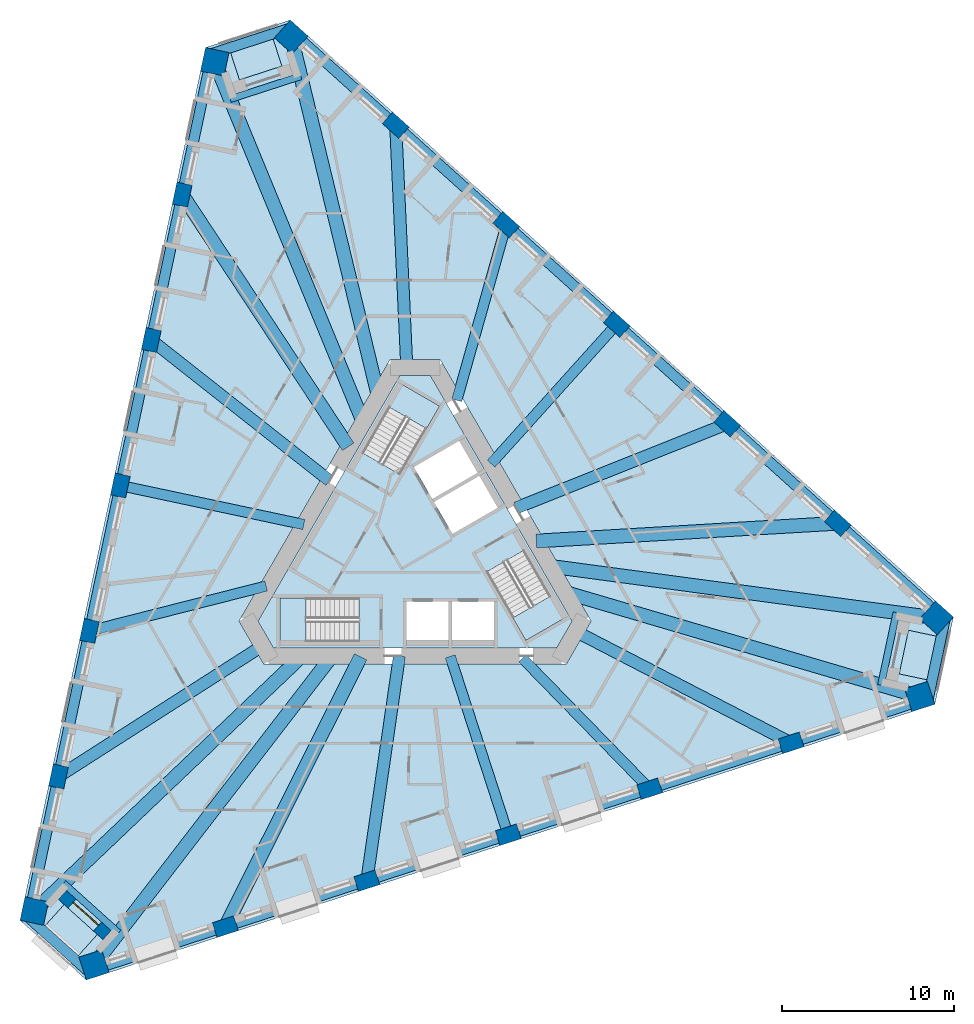
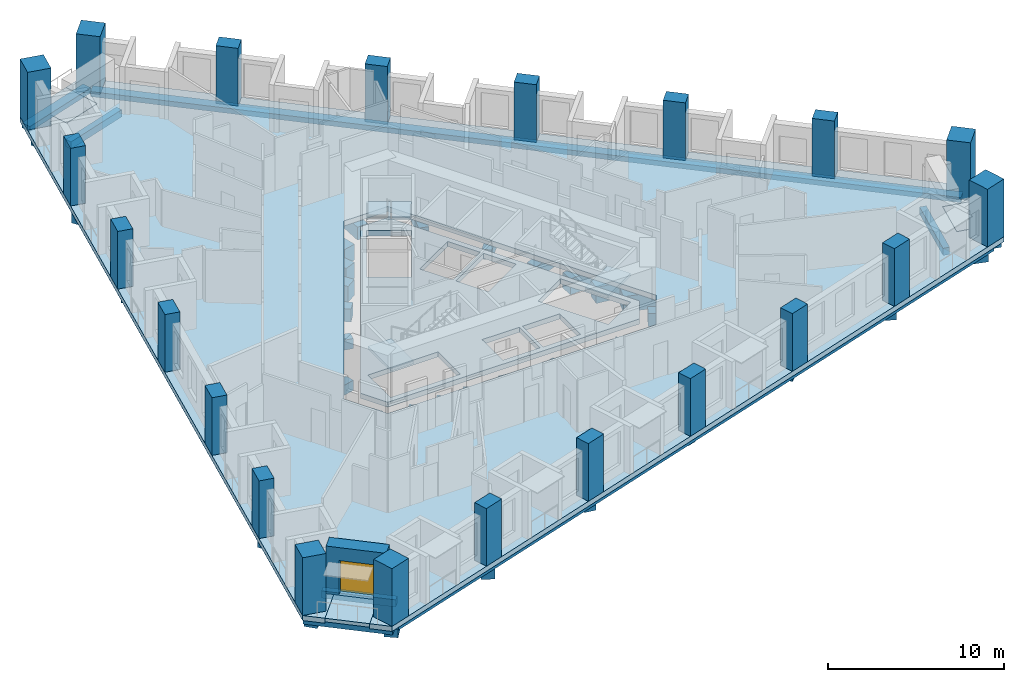
# One storey, part 1 of 13: 30 beams, 21 columns, 8 slabs, 1 door, 1 wall, 1 opening, 3 elements without a shape of their own.
"""IFC4 building model written with IfcOpenShell, lengths in metres."""

from ifc_helpers import new_model, si_unit, direction, frame, frame_2d, origin, origin_2d, place, context, subcontext, project, spatial, polyline, rectangle, outline, extrude, material, layer, layer_set, material_profile, profile_set, type_object, element, fill, aggregate, save


model = new_model("IFC4")

# Units and contexts
model_context = context("Model", 3, precision=1e-05, world=origin(), true_north=direction((0.0, 1.0)))
body_context = subcontext(model_context, "Body", "Model", "MODEL_VIEW")
ifc_project = project(units=[si_unit("LENGTHUNIT", "METRE"), si_unit("AREAUNIT", "SQUARE_METRE"), si_unit("VOLUMEUNIT", "CUBIC_METRE"), si_unit("PLANEANGLEUNIT", "RADIAN"), si_unit("MASSUNIT", "GRAM", prefix="KILO")], contexts=[model_context])

# Site, building, storey
site_placement = place(None, origin())
site = spatial("IfcSite", under=ifc_project, at=site_placement, CompositionType="ELEMENT")
building_placement = place(site_placement, origin())
building = spatial("IfcBuilding", under=site, at=building_placement, Name="Tramontana Tower", CompositionType="ELEMENT")
storey_placement = place(building_placement, frame((0.0, 0.0, 104.39990234375)))
storey = spatial("IfcBuildingStorey", under=building, at=storey_placement, Name="L23", CompositionType="ELEMENT", Elevation=104.39990234375)

# Columns
ifc_material_1 = material(Name="Concrete 70 MPa", Category="concrete")
ifc_material_profile_1 = material_profile(ifc_material_1, rectangle(XDim=1.39990234375, YDim=1.39990234375, at=origin_2d()), Name="Mega column 1400X1400 70 MPa")
ifc_profile_set_1 = profile_set([ifc_material_profile_1], Name="Concrete 70 MPa")
column_type_1 = type_object("IfcColumnType", Name="Mega column 1400X1400 70 MPa", PredefinedType="COLUMN", material=ifc_profile_set_1)
for number, where, z_axis, x_axis, name in (
    (1, (-11.665771484375, 28.3251953125, 0.0), (0.0, 0.0, 1.0), (-0.207911690818, -0.978147600734, 0.0), "Mega column C2K1 L23"),
    (2, (-22.17822265625, -21.13134765625, 0.0), (0.0, 0.0, 1.0), (-0.207911690818, -0.978147600734, 0.0), "Mega column C2K2 L23"),
    (3, (-18.697509765625, -24.265380859375, 0.0), (0.0, 0.0, 1.0), (0.951056516295, 0.309016994375, 0.0), "Mega column C2K3 L23"),
    (4, (29.389404296875, -8.64111328125, 0.0), (0.0, 0.0, 1.0), (0.951056516295, 0.309016994375, 0.0), "Mega column C2K4 L23"),
    (5, (30.36328125, -4.059814453125, 0.0), (0.0, 0.0, 1.0), (-0.743144825477, 0.669130606359, 0.0), "Mega column C2K5 L23"),
    (6, (-7.21142578125, 29.7724609375, 0.0), (0.0, 0.0, 1.0), (-0.743144825477, 0.669130606359, 0.0), "Mega column C2K6 L23"),
):
    element("IfcColumn", number, at=place(storey_placement, frame(where, z_axis=z_axis, x_axis=x_axis)), inside=storey, type_object=column_type_1, Name=name, PredefinedType="COLUMN", context=body_context, shape_type="SweptSolid", body=[
        extrude(rectangle(XDim=1.39990234375, YDim=1.39990234375, at=origin_2d()), origin(), (0.0, 0.0, 1.0), 4.0),
    ])
ifc_material_2 = material(Name="Concrete 55 MPa", Category="concrete")
ifc_material_profile_2 = material_profile(ifc_material_2, rectangle(XDim=1.300048828125, YDim=0.89990234375, at=origin_2d()), Name="Pier column 1300X900 55 MPa")
ifc_profile_set_2 = profile_set([ifc_material_profile_2], Name="Concrete 55 MPa")
column_type_2 = type_object("IfcColumnType", Name="Pier column 1300X900 55 MPa", PredefinedType="COLUMN", material=ifc_profile_set_2)
for number, where, z_axis, x_axis, name in (
    (7, (-13.5654296875, 20.5908203125, 0.0), (0.0, 0.0, 1.0), (-0.207911690818, -0.978147600734, 0.0), "Pier column C2F01 L23"),
    (8, (-15.365966796875, 12.119873046875, 0.0), (0.0, 0.0, 1.0), (-0.207911690818, -0.978147600734, 0.0), "Pier column C2F02 L23"),
    (9, (-17.16650390625, 3.64892578125, 0.0), (0.0, 0.0, 1.0), (-0.207911690818, -0.978147600734, 0.0), "Pier column C2F03 L23"),
    (10, (-18.967041015625, -4.822265625, 0.0), (0.0, 0.0, 1.0), (-0.207911690818, -0.978147600734, 0.0), "Pier column C2F04 L23"),
    (11, (-20.767578125, -13.293212890625, 0.0), (0.0, 0.0, 1.0), (-0.207911690818, -0.978147600734, 0.0), "Pier column C2F05 L23"),
    (12, (-11.049560546875, -22.04345703125, 0.0), (0.0, 0.0, 1.0), (0.951056516295, 0.309016994375, 0.0), "Pier column C2F06 L23"),
    (13, (-2.813232421875, -19.3671875, 0.0), (0.0, 0.0, 1.0), (0.951056516295, 0.309016994375, 0.0), "Pier column C2F07 L23"),
    (14, (5.42333984375, -16.691162109375, 0.0), (0.0, 0.0, 1.0), (0.951056516295, 0.309016994375, 0.0), "Pier column C2F08 L23"),
    (15, (13.65966796875, -14.014892578125, 0.0), (0.0, 0.0, 1.0), (0.951056516295, 0.309016994375, 0.0), "Pier column C2F09 L23"),
    (16, (21.89599609375, -11.338623046875, 0.0), (0.0, 0.0, 1.0), (0.951056516295, 0.309016994375, 0.0), "Pier column C2F10 L23"),
    (17, (24.614990234375, 1.452392578125, 0.0), (0.0, 0.0, 1.0), (-0.743144825477, 0.669130606359, 0.0), "Pier column C2F11 L23"),
    (18, (18.178955078125, 7.247314453125, 0.0), (0.0, 0.0, 1.0), (-0.743144825477, 0.669130606359, 0.0), "Pier column C2F12 L23"),
    (19, (11.7431640625, 13.042236328125, 0.0), (0.0, 0.0, 1.0), (-0.743144825477, 0.669130606359, 0.0), "Pier column C2F13 L23"),
    (20, (5.307373046875, 18.8369140625, 0.0), (0.0, 0.0, 1.0), (-0.743144825477, 0.669130606359, 0.0), "Pier column C2F14 L23"),
    (21, (-1.12841796875, 24.6318359375, 0.0), (0.0, 0.0, 1.0), (-0.743144825477, 0.669130606359, 0.0), "Pier column C2F15 L23"),
):
    element("IfcColumn", number, at=place(storey_placement, frame(where, z_axis=z_axis, x_axis=x_axis)), inside=storey, type_object=column_type_2, Name=name, PredefinedType="COLUMN", context=body_context, shape_type="SweptSolid", body=[
        extrude(rectangle(XDim=1.300048828125, YDim=0.89990234375, at=origin_2d()), origin(), (0.0, 0.0, 1.0), 4.0),
    ])

# Beams
ifc_material_3 = material(Name="Concrete 40 MPa", Category="concrete")
ifc_material_profile_3 = material_profile(ifc_material_3, rectangle(XDim=0.60009765625, YDim=0.35009765625, at=origin_2d()), Name="RC EDGE BEAM 600X350 40 MPa")
ifc_profile_set_3 = profile_set([ifc_material_profile_3], Name="Concrete 40 MPa")
beam_type_1 = type_object("IfcBeamType", Name="RC EDGE BEAM 600X350 40 MPa", PredefinedType="SPANDREL", material=ifc_profile_set_3)
beam_1_placement = place(storey_placement, frame((-11.910400390625, 28.377197265625, -0.52490234375), z_axis=(-0.207908708796, -0.978148234577, 0.0), x_axis=(0.978148234577, -0.207908708796, 0.0)))
element("IfcBeam", 22, at=beam_1_placement, inside=storey, type_object=beam_type_1, Name="Spandrel beam S0 L23", PredefinedType="SPANDREL", context=body_context, shape_type="SweptSolid", body=[
    extrude(rectangle(XDim=0.60009765625, YDim=0.35009765625, at=origin_2d()), origin(), (0.0, 0.0, 1.0), 50.561767578125),
])
beam_2_placement = place(storey_placement, frame((-18.6201171875, -24.503173828125, -0.52490234375), z_axis=(0.95105720178, 0.309014884661, 0.0), x_axis=(-0.309014884661, 0.95105720178, 0.0)))
element("IfcBeam", 23, at=beam_2_placement, inside=storey, type_object=beam_type_1, Name="Spandrel beam S1 L23", PredefinedType="SPANDREL", context=body_context, shape_type="SweptSolid", body=[
    extrude(rectangle(XDim=0.60009765625, YDim=0.35009765625, at=origin_2d()), origin(), (0.0, 0.0, 1.0), 50.5615234375),
])
beam_3_placement = place(storey_placement, frame((30.530517578125, -3.873779296875, -0.52490234375), z_axis=(-0.743146468863, 0.66912878119, 0.0), x_axis=(-0.66912878119, -0.743146468863, 0.0)))
element("IfcBeam", 24, at=beam_3_placement, inside=storey, type_object=beam_type_1, Name="Spandrel beam S2 L23", PredefinedType="SPANDREL", context=body_context, shape_type="SweptSolid", body=[
    extrude(rectangle(XDim=0.60009765625, YDim=0.35009765625, at=origin_2d()), origin(), (0.0, 0.0, 1.0), 50.561279296875),
])
beam_4_placement = place(storey_placement, frame((-7.1240234375, 30.333251953125, -0.52490234375), z_axis=(-0.951056854477, -0.309015953557, 0.0), x_axis=(0.309015953557, -0.951056854477, 0.0)))
element("IfcBeam", 25, at=beam_4_placement, inside=storey, type_object=beam_type_1, Name="Spandrel beam K0 L23", PredefinedType="SPANDREL", context=body_context, shape_type="SweptSolid", body=[
    extrude(rectangle(XDim=0.60009765625, YDim=0.35009765625, at=origin_2d()), origin(), (0.0, 0.0, 1.0), 5.1962890625),
])
beam_5_placement = place(storey_placement, frame((-22.707275390625, -21.336181640625, -0.52490234375), z_axis=(0.743160964229, -0.669112682025, 0.0), x_axis=(0.669112682025, 0.743160964229, 0.0)))
element("IfcBeam", 26, at=beam_5_placement, inside=storey, type_object=beam_type_1, Name="Spandrel beam K1 L23", PredefinedType="SPANDREL", context=body_context, shape_type="SweptSolid", body=[
    extrude(rectangle(XDim=0.60009765625, YDim=0.35009765625, at=origin_2d()), origin(), (0.0, 0.0, 1.0), 5.196044921875),
])
beam_6_placement = place(storey_placement, frame((29.831298828125, -8.9970703125, -0.52490234375), z_axis=(0.207902023431, 0.97814965555, 0.0), x_axis=(-0.97814965555, 0.207902023431, 0.0)))
element("IfcBeam", 27, at=beam_6_placement, inside=storey, type_object=beam_type_1, Name="Spandrel beam K2 L23", PredefinedType="SPANDREL", context=body_context, shape_type="SweptSolid", body=[
    extrude(rectangle(XDim=0.60009765625, YDim=0.35009765625, at=origin_2d()), origin(), (0.0, 0.0, 1.0), 5.1962890625),
])
ifc_material_4 = material(Name="Concrete 40 MPa", Category="concrete")
ifc_material_profile_4 = material_profile(ifc_material_4, rectangle(XDim=0.60009765625, YDim=0.699951171875, at=origin_2d()), Name="RC GIRDER 600X700 40 MPa")
ifc_profile_set_4 = profile_set([ifc_material_profile_4], Name="Concrete 40 MPa")
beam_type_2 = type_object("IfcBeamType", Name="RC GIRDER 600X700 40 MPa", PredefinedType="BEAM", material=ifc_profile_set_4)
beam_7_placement = place(storey_placement, frame((-17.16650390625, 3.64892578125, -0.699951171875), z_axis=(0.978147322784, -0.207912998466, 0.0), x_axis=(0.207912998466, 0.978147322784, 0.0)))
element("IfcBeam", 28, at=beam_7_placement, inside=storey, type_object=beam_type_2, Name="Radial girder C2F03 L23", PredefinedType="BEAM", context=body_context, shape_type="SweptSolid", body=[
    extrude(rectangle(XDim=0.60009765625, YDim=0.699951171875, at=origin_2d()), origin(), (0.0, 0.0, 1.0), 10.927490234375),
])
beam_8_placement = place(storey_placement, frame((-18.967041015625, -4.822265625, -0.699951171875), z_axis=(0.969167879742, 0.24640134106, 0.0), x_axis=(-0.24640134106, 0.969167879742, 0.0)))
element("IfcBeam", 29, at=beam_8_placement, inside=storey, type_object=beam_type_2, Name="Radial girder C2F04 L23", PredefinedType="BEAM", context=body_context, shape_type="SweptSolid", body=[
    extrude(rectangle(XDim=0.60009765625, YDim=0.699951171875, at=origin_2d()), origin(), (0.0, 0.0, 1.0), 10.61962890625),
])
beam_9_placement = place(storey_placement, frame((5.423095703125, -16.69091796875, -0.699951171875), z_axis=(-0.309006757929, 0.951059842257, 0.0), x_axis=(-0.951059842257, -0.309006757929, 0.0)))
element("IfcBeam", 30, at=beam_9_placement, inside=storey, type_object=beam_type_2, Name="Radial girder C2F08 L23", PredefinedType="BEAM", context=body_context, shape_type="SweptSolid", body=[
    extrude(rectangle(XDim=0.60009765625, YDim=0.699951171875, at=origin_2d()), origin(), (0.0, 0.0, 1.0), 10.927734375),
])
beam_10_placement = place(storey_placement, frame((13.65966796875, -14.014892578125, -0.699951171875), z_axis=(-0.697979323515, 0.716117912041, 0.0), x_axis=(-0.716117912041, -0.697979323515, 0.0)))
element("IfcBeam", 31, at=beam_10_placement, inside=storey, type_object=beam_type_2, Name="Radial girder C2F09 L23", PredefinedType="BEAM", context=body_context, shape_type="SweptSolid", body=[
    extrude(rectangle(XDim=0.60009765625, YDim=0.699951171875, at=origin_2d()), origin(), (0.0, 0.0, 1.0), 10.61962890625),
])
beam_11_placement = place(storey_placement, frame((11.7431640625, 13.042236328125, -0.699951171875), z_axis=(-0.669128882364, -0.743146377766, 0.0), x_axis=(0.743146377766, -0.669128882364, 0.0)))
element("IfcBeam", 32, at=beam_11_placement, inside=storey, type_object=beam_type_2, Name="Radial girder C2F13 L23", PredefinedType="BEAM", context=body_context, shape_type="SweptSolid", body=[
    extrude(rectangle(XDim=0.60009765625, YDim=0.699951171875, at=origin_2d()), origin(), (0.0, 0.0, 1.0), 10.927734375),
])
beam_12_placement = place(storey_placement, frame((5.307373046875, 18.8369140625, -0.699951171875), z_axis=(-0.271184951147, -0.962527257937, 0.0), x_axis=(0.962527257937, -0.271184951147, 0.0)))
element("IfcBeam", 33, at=beam_12_placement, inside=storey, type_object=beam_type_2, Name="Radial girder C2F14 L23", PredefinedType="BEAM", context=body_context, shape_type="SweptSolid", body=[
    extrude(rectangle(XDim=0.60009765625, YDim=0.699951171875, at=origin_2d()), origin(), (0.0, 0.0, 1.0), 10.61962890625),
])
ifc_material_5 = material(Name="Concrete 40 MPa", Category="concrete")
ifc_material_profile_5 = material_profile(ifc_material_5, rectangle(XDim=0.699951171875, YDim=0.89990234375, at=origin_2d()), Name="RC GIRDER 700X900 40 MPa")
ifc_profile_set_5 = profile_set([ifc_material_profile_5], Name="Concrete 40 MPa")
beam_type_3 = type_object("IfcBeamType", Name="RC GIRDER 700X900 40 MPa", PredefinedType="BEAM", material=ifc_profile_set_5)
beam_13_placement = place(storey_placement, frame((-15.365966796875, 12.119873046875, -0.7998046875), z_axis=(0.785161962565, -0.619290475093, 0.0), x_axis=(0.619290475093, 0.785161962565, 0.0)))
element("IfcBeam", 34, at=beam_13_placement, inside=storey, type_object=beam_type_3, Name="Radial girder C2F02 L23", PredefinedType="BEAM", context=body_context, shape_type="SweptSolid", body=[
    extrude(rectangle(XDim=0.699951171875, YDim=0.89990234375, at=origin_2d()), origin(), (0.0, 0.0, 1.0), 13.224609375),
])
beam_14_placement = place(storey_placement, frame((-20.767578125, -13.293212890625, -0.7998046875), z_axis=(0.842236860049, 0.539107662323, 0.0), x_axis=(-0.539107662323, 0.842236860049, 0.0)))
element("IfcBeam", 35, at=beam_14_placement, inside=storey, type_object=beam_type_3, Name="Radial girder C2F05 L23", PredefinedType="BEAM", context=body_context, shape_type="SweptSolid", body=[
    extrude(rectangle(XDim=0.699951171875, YDim=0.89990234375, at=origin_2d()), origin(), (0.0, 0.0, 1.0), 14.12109375),
])
beam_15_placement = place(storey_placement, frame((-2.81298828125, -19.3671875, -0.7998046875), z_axis=(0.143736706845, 0.989615965466, 0.0), x_axis=(-0.989615965466, 0.143736706845, 0.0)))
element("IfcBeam", 36, at=beam_15_placement, inside=storey, type_object=beam_type_3, Name="Radial girder C2F07 L23", PredefinedType="BEAM", context=body_context, shape_type="SweptSolid", body=[
    extrude(rectangle(XDim=0.699951171875, YDim=0.89990234375, at=origin_2d()), origin(), (0.0, 0.0, 1.0), 13.224609375),
])
beam_16_placement = place(storey_placement, frame((21.89599609375, -11.338623046875, -0.7998046875), z_axis=(-0.88800272981, 0.45983818007, 0.0), x_axis=(-0.45983818007, -0.88800272981, 0.0)))
element("IfcBeam", 37, at=beam_16_placement, inside=storey, type_object=beam_type_3, Name="Radial girder C2F10 L23", PredefinedType="BEAM", context=body_context, shape_type="SweptSolid", body=[
    extrude(rectangle(XDim=0.699951171875, YDim=0.89990234375, at=origin_2d()), origin(), (0.0, 0.0, 1.0), 14.12109375),
])
beam_17_placement = place(storey_placement, frame((18.17919921875, 7.247314453125, -0.7998046875), z_axis=(-0.928907671919, -0.370311405509, 0.0), x_axis=(0.370311405509, -0.928907671919, 0.0)))
element("IfcBeam", 38, at=beam_17_placement, inside=storey, type_object=beam_type_3, Name="Radial girder C2F12 L23", PredefinedType="BEAM", context=body_context, shape_type="SweptSolid", body=[
    extrude(rectangle(XDim=0.699951171875, YDim=0.89990234375, at=origin_2d()), origin(), (0.0, 0.0, 1.0), 13.224609375),
])
beam_18_placement = place(storey_placement, frame((-1.12841796875, 24.6318359375, -0.7998046875), z_axis=(0.045763702309, -0.99895229293, 0.0), x_axis=(0.99895229293, 0.045763702309, 0.0)))
element("IfcBeam", 39, at=beam_18_placement, inside=storey, type_object=beam_type_3, Name="Radial girder C2F15 L23", PredefinedType="BEAM", context=body_context, shape_type="SweptSolid", body=[
    extrude(rectangle(XDim=0.699951171875, YDim=0.89990234375, at=origin_2d()), origin(), (0.0, 0.0, 1.0), 14.121337890625),
])
ifc_material_6 = material(Name="Concrete 40 MPa", Category="concrete")
ifc_material_profile_6 = material_profile(ifc_material_6, rectangle(XDim=0.800048828125, YDim=1.10009765625, at=origin_2d()), Name="RC GIRDER 800X1100 40 MPa")
ifc_profile_set_6 = profile_set([ifc_material_profile_6], Name="Concrete 40 MPa")
beam_type_4 = type_object("IfcBeamType", Name="RC GIRDER 800X1100 40 MPa", PredefinedType="BEAM", material=ifc_profile_set_6)
beam_19_placement = place(storey_placement, frame((-11.665771484375, 28.3251953125, -0.89990234375), z_axis=(0.380819934235, -0.924649218725, 0.0), x_axis=(0.924649218725, 0.380819934235, 0.0)))
element("IfcBeam", 40, at=beam_19_placement, inside=storey, type_object=beam_type_4, Name="Radial girder C2K1 L23", PredefinedType="BEAM", context=body_context, shape_type="SweptSolid", body=[
    extrude(rectangle(XDim=0.800048828125, YDim=1.10009765625, at=origin_2d()), origin(), (0.0, 0.0, 1.0), 22.5869140625),
])
beam_20_placement = place(storey_placement, frame((-13.5654296875, 20.5908203125, -0.89990234375), z_axis=(0.550154503281, -0.835062885368, 0.0), x_axis=(0.835062885368, 0.550154503281, 0.0)))
element("IfcBeam", 41, at=beam_20_placement, inside=storey, type_object=beam_type_4, Name="Radial girder C2F01 L23", PredefinedType="BEAM", context=body_context, shape_type="SweptSolid", body=[
    extrude(rectangle(XDim=0.800048828125, YDim=1.10009765625, at=origin_2d()), origin(), (0.0, 0.0, 1.0), 17.58203125),
])
beam_21_placement = place(storey_placement, frame((-22.177978515625, -21.13134765625, -0.89990234375), z_axis=(0.723983254275, 0.689817546551, 0.0), x_axis=(-0.689817546551, 0.723983254275, 0.0)))
element("IfcBeam", 42, at=beam_21_placement, inside=storey, type_object=beam_type_4, Name="Radial girder C2K2 L23", PredefinedType="BEAM", context=body_context, shape_type="SweptSolid", body=[
    extrude(rectangle(XDim=0.800048828125, YDim=1.10009765625, at=origin_2d()), origin(), (0.0, 0.0, 1.0), 21.322998046875),
])
beam_22_placement = place(storey_placement, frame((-18.697509765625, -24.265380859375, -0.89990234375), z_axis=(0.610367161523, 0.792118632614, 0.0), x_axis=(-0.792118632614, 0.610367161523, 0.0)))
element("IfcBeam", 43, at=beam_22_placement, inside=storey, type_object=beam_type_4, Name="Radial girder C2K3 L23", PredefinedType="BEAM", context=body_context, shape_type="SweptSolid", body=[
    extrude(rectangle(XDim=0.800048828125, YDim=1.10009765625, at=origin_2d()), origin(), (0.0, 0.0, 1.0), 22.5869140625),
])
beam_23_placement = place(storey_placement, frame((-11.049560546875, -22.04345703125, -0.89990234375), z_axis=(0.448118712833, 0.893974059584, 0.0), x_axis=(-0.893974059584, 0.448118712833, 0.0)))
element("IfcBeam", 44, at=beam_23_placement, inside=storey, type_object=beam_type_4, Name="Radial girder C2F06 L23", PredefinedType="BEAM", context=body_context, shape_type="SweptSolid", body=[
    extrude(rectangle(XDim=0.800048828125, YDim=1.10009765625, at=origin_2d()), origin(), (0.0, 0.0, 1.0), 17.582275390625),
])
beam_24_placement = place(storey_placement, frame((29.389404296875, -8.64111328125, -0.89990234375), z_axis=(-0.959390293023, 0.282082019372, 0.0), x_axis=(-0.282082019372, -0.959390293023, 0.0)))
element("IfcBeam", 45, at=beam_24_placement, inside=storey, type_object=beam_type_4, Name="Radial girder C2K4 L23", PredefinedType="BEAM", context=body_context, shape_type="SweptSolid", body=[
    extrude(rectangle(XDim=0.800048828125, YDim=1.10009765625, at=origin_2d()), origin(), (0.0, 0.0, 1.0), 21.3232421875),
])
beam_25_placement = place(storey_placement, frame((30.36328125, -4.059814453125, -0.89990234375), z_axis=(-0.99117940686, 0.132526915819, 0.0), x_axis=(-0.132526915819, -0.99117940686, 0.0)))
element("IfcBeam", 46, at=beam_25_placement, inside=storey, type_object=beam_type_4, Name="Radial girder C2K5 L23", PredefinedType="BEAM", context=body_context, shape_type="SweptSolid", body=[
    extrude(rectangle(XDim=0.800048828125, YDim=1.10009765625, at=origin_2d()), origin(), (0.0, 0.0, 1.0), 22.587158203125),
])
beam_26_placement = place(storey_placement, frame((24.614990234375, 1.452392578125, -0.89990234375), z_axis=(-0.998263727152, -0.058902725346, 0.0), x_axis=(0.058902725346, -0.998263727152, 0.0)))
element("IfcBeam", 47, at=beam_26_placement, inside=storey, type_object=beam_type_4, Name="Radial girder C2F11 L23", PredefinedType="BEAM", context=body_context, shape_type="SweptSolid", body=[
    extrude(rectangle(XDim=0.800048828125, YDim=1.10009765625, at=origin_2d()), origin(), (0.0, 0.0, 1.0), 17.582275390625),
])
beam_27_placement = place(storey_placement, frame((-7.211181640625, 29.7724609375, -0.89990234375), z_axis=(0.235403401789, -0.971897751014, 0.0), x_axis=(0.971897751014, 0.235403401789, 0.0)))
element("IfcBeam", 48, at=beam_27_placement, inside=storey, type_object=beam_type_4, Name="Radial girder C2K6 L23", PredefinedType="BEAM", context=body_context, shape_type="SweptSolid", body=[
    extrude(rectangle(XDim=0.800048828125, YDim=1.10009765625, at=origin_2d()), origin(), (0.0, 0.0, 1.0), 21.322998046875),
])
ifc_material_7 = material(Name="Concrete 40 MPa", Category="concrete")
ifc_material_profile_7 = material_profile(ifc_material_7, rectangle(XDim=0.39990234375, YDim=0.5, at=origin_2d()), Name="RC TRIM BEAM 400X500 40 MPa")
ifc_profile_set_7 = profile_set([ifc_material_profile_7], Name="Concrete 40 MPa")
beam_type_5 = type_object("IfcBeamType", Name="RC TRIM BEAM 400X500 40 MPa", PredefinedType="JOIST", material=ifc_profile_set_7)
for number, where, z_axis, x_axis, name in (
    (49, (-6.657958984375, 27.48779296875, -0.599853515625), (-0.951061034198, -0.309003089354, 0.0), (0.309003089354, -0.951061034198, 0.0), "Trimmer beam K0 L23"),
    (50, (-20.476318359375, -19.510009765625, -0.599853515625), (0.743173417356, -0.669098850496, 0.0), (0.669098850496, 0.743173417356, 0.0), "Trimmer beam K1 L23"),
    (51, (27.13427734375, -7.97802734375, -0.599853515625), (0.207882389407, 0.978153828482, 0.0), (-0.978153828482, 0.207882389407, 0.0), "Trimmer beam K2 L23"),
):
    element("IfcBeam", number, at=place(storey_placement, frame(where, z_axis=z_axis, x_axis=x_axis)), inside=storey, type_object=beam_type_5, Name=name, PredefinedType="JOIST", context=body_context, shape_type="SweptSolid", body=[
        extrude(rectangle(XDim=0.39990234375, YDim=0.5, at=origin_2d()), origin(), (0.0, 0.0, 1.0), 4.32421875),
    ])

# Slabs
ifc_material_8 = material(Name="Precast concrete 50 MPa", Category="concrete")
ifc_layer_1 = layer(ifc_material_8, 0.25)
ifc_layer_set_1 = layer_set([ifc_layer_1], Name="LT1 Loggia floor tray 250")
slab_type_1 = type_object("IfcSlabType", Name="LT1 Loggia floor tray 250", PredefinedType="FLOOR", material=ifc_layer_set_1)
slab_1_placement = place(storey_placement, frame((0.0, 0.0, -0.25)))
element("IfcSlab", 52, at=slab_1_placement, inside=storey, type_object=slab_type_1, Name="Corner loggia floor L23 K20", PredefinedType="FLOOR", context=body_context, shape_type="SweptSolid", body=[
    extrude(outline(polyline([(-8.49755859375, 30.360107421875), (-7.756103515625, 28.077392578125), (-10.228759765625, 27.27392578125), (-10.970458984375, 29.556640625), (-8.49755859375, 30.360107421875)])), origin(), (0.0, 0.0, 1.0), 0.25),
])
slab_2_placement = place(storey_placement, frame((0.0, 0.0, -0.25)))
element("IfcSlab", 53, at=slab_2_placement, inside=storey, type_object=slab_type_1, Name="Corner loggia floor L23 K21", PredefinedType="FLOOR", context=body_context, shape_type="SweptSolid", body=[
    extrude(outline(polyline([(-22.043701171875, -22.539306640625), (-20.437744140625, -20.755615234375), (-18.505615234375, -22.495361328125), (-20.111572265625, -24.279052734375), (-22.043701171875, -22.539306640625)])), origin(), (0.0, 0.0, 1.0), 0.25),
])
slab_3_placement = place(storey_placement, frame((0.0, 0.0, -0.25)))
element("IfcSlab", 54, at=slab_3_placement, inside=storey, type_object=slab_type_1, Name="Corner loggia floor L23 K22", PredefinedType="FLOOR", context=body_context, shape_type="SweptSolid", body=[
    extrude(outline(polyline([(30.541259765625, -7.82080078125), (28.19384765625, -7.32177734375), (28.734375, -4.778564453125), (31.08203125, -5.277587890625), (30.541259765625, -7.82080078125)])), origin(), (0.0, 0.0, 1.0), 0.25),
])
ifc_material_9 = material(Name="Concrete 40 MPa", Category="concrete")
ifc_layer_2 = layer(ifc_material_9, 0.35009765625)
ifc_layer_set_2 = layer_set([ifc_layer_2], Name="PT FLAT SLAB 350 40 MPa")
slab_type_2 = type_object("IfcSlabType", Name="PT FLAT SLAB 350 40 MPa", PredefinedType="FLOOR", material=ifc_layer_set_2)
slab_4_placement = place(storey_placement, frame((0.0, 0.0, -0.349853515625)))
element("IfcSlab", 55, at=slab_4_placement, inside=storey, type_object=slab_type_2, Name="Floor slab L23", PredefinedType="FLOOR", context=body_context, shape_type="SweptSolid", body=[
    extrude(outline(polyline([(31.081787109375, -5.277587890625), (28.734375, -4.778564453125), (28.19384765625, -7.32177734375), (30.54150390625, -7.82080078125), (30.271484375, -9.090576171875), (-19.14697265625, -25.1474609375), (-20.111572265625, -24.27880859375), (-18.505615234375, -22.495361328125), (-20.437744140625, -20.755615234375), (-22.043701171875, -22.539306640625), (-23.00830078125, -21.670654296875), (-12.205078125, 29.155517578125), (-10.970458984375, 29.556640625), (-10.228759765625, 27.27392578125), (-7.756103515625, 28.077392578125), (-8.497802734375, 30.360107421875), (-7.26318359375, 30.760986328125), (31.351806640625, -4.0078125), (31.081787109375, -5.277587890625)]), holes=[polyline([(-10.248046875, -4.25), (-8.8046875, -6.75), (8.8046875, -6.75), (10.248046875, -4.25), (1.443359375, 11.0), (-1.443359375, 11.0), (-10.248046875, -4.25)])]), origin(), (0.0, 0.0, 1.0), 0.349853515625),
])
slab_5_placement = place(storey_placement, frame((0.0, 0.0, -0.349853515625)))
element("IfcSlab", 56, at=slab_5_placement, inside=storey, type_object=slab_type_2, Name="Core floor slab L23", PredefinedType="FLOOR", context=body_context, shape_type="SweptSolid", body=[
    extrude(outline(polyline([(9.15087890625, -4.25), (8.256103515625, -5.800048828125), (-8.256103515625, -5.800048828125), (-9.15087890625, -4.25), (-0.89501953125, 10.050048828125), (0.89501953125, 10.050048828125), (9.15087890625, -4.25)]), holes=[polyline([(8.659912109375, -4.099365234375), (6.35986328125, -0.115478515625), (4.151611328125, -1.390625), (6.451416015625, -5.374267578125), (8.659912109375, -4.099365234375)]), polyline([(3.829833984375, 4.2666015625), (1.101806640625, 2.69140625), (2.177001953125, 0.82958984375), (4.90478515625, 2.404541015625), (3.829833984375, 4.2666015625)]), polyline([(4.590087890625, -3.10009765625), (2.139892578125, -3.10009765625), (2.139892578125, -5.449951171875), (4.590087890625, -5.449951171875), (4.590087890625, -3.10009765625)]), polyline([(2.65478515625, 6.3017578125), (-0.072998046875, 4.726806640625), (1.001953125, 2.86474609375), (3.729736328125, 4.439697265625), (2.65478515625, 6.3017578125)]), polyline([(1.93994140625, -5.449951171875), (1.93994140625, -3.10009765625), (-0.510009765625, -3.10009765625), (-0.510009765625, -5.449951171875), (1.93994140625, -5.449951171875)]), polyline([(-0.77978515625, 9.54931640625), (-3.079833984375, 5.565673828125), (-0.87158203125, 4.29052734375), (1.428466796875, 8.2744140625), (-0.77978515625, 9.54931640625)]), polyline([(-7.8798828125, -5.449951171875), (-3.280029296875, -5.449951171875), (-3.280029296875, -2.89990234375), (-7.8798828125, -2.89990234375), (-7.8798828125, -5.449951171875)])]), origin(), (0.0, 0.0, 1.0), 0.349853515625),
])

# Stair, slab
ifc_material_10 = material(Name="Concrete 40 MPa", Category="concrete")
stair_type = type_object("IfcStairType", Name="EXIT STAIR 24 RISERS", PredefinedType="HALF_TURN_STAIR", material=ifc_material_10)
stair_1_placement = place(storey_placement, origin())
stair_1 = element("IfcStair", 57, at=stair_1_placement, inside=storey, type_object=stair_type, Name="L23 Exit stair ST1", PredefinedType="HALF_TURN_STAIR")
ifc_material_11 = material(Name="Concrete 40 MPa", Category="concrete")
ifc_layer_3 = layer(ifc_material_11, 0.199951171875)
ifc_layer_set_3 = layer_set([ifc_layer_3], Name="STAIR LANDING 200")
slab_type_3 = type_object("IfcSlabType", Name="STAIR LANDING 200", PredefinedType="LANDING", material=ifc_layer_set_3)
slab_6_placement = place(storey_placement, frame((0.0, 0.0, 1.800048828125)))
slab_6 = element("IfcSlab", 58, at=slab_6_placement, type_object=slab_type_3, Name="ST1 landing 1", PredefinedType="LANDING", context=body_context, shape_type="SweptSolid", body=[
    extrude(outline(polyline([(0.66845703125, 6.9580078125), (1.428466796875, 8.274169921875), (-0.77978515625, 9.54931640625), (-1.539794921875, 8.23291015625), (0.66845703125, 6.9580078125)])), origin(), (0.0, 0.0, 1.0), 0.199951171875),
])
aggregate(stair_1, [slab_6])

stair_2_placement = place(storey_placement, origin())
stair_2 = element("IfcStair", 59, at=stair_2_placement, inside=storey, type_object=stair_type, Name="L23 Exit stair ST2", PredefinedType="HALF_TURN_STAIR")
slab_7_placement = place(storey_placement, frame((0.0, 0.0, 1.800048828125)))
slab_7 = element("IfcSlab", 60, at=slab_7_placement, type_object=slab_type_3, Name="ST2 landing 1", PredefinedType="LANDING", context=body_context, shape_type="SweptSolid", body=[
    extrude(outline(polyline([(-6.360107421875, -2.89990234375), (-7.8798828125, -2.89990234375), (-7.8798828125, -5.449951171875), (-6.360107421875, -5.449951171875), (-6.360107421875, -2.89990234375)])), origin(), (0.0, 0.0, 1.0), 0.199951171875),
])
aggregate(stair_2, [slab_7])

stair_3_placement = place(storey_placement, origin())
stair_3 = element("IfcStair", 61, at=stair_3_placement, inside=storey, type_object=stair_type, Name="L23 Exit stair ST3", PredefinedType="HALF_TURN_STAIR")
slab_8_placement = place(storey_placement, frame((0.0, 0.0, 1.800048828125)))
slab_8 = element("IfcSlab", 62, at=slab_8_placement, type_object=slab_type_3, Name="ST3 landing 1", PredefinedType="LANDING", context=body_context, shape_type="SweptSolid", body=[
    extrude(outline(polyline([(5.69140625, -4.057861328125), (6.451416015625, -5.374267578125), (8.659912109375, -4.099365234375), (7.89990234375, -2.782958984375), (5.69140625, -4.057861328125)])), origin(), (0.0, 0.0, 1.0), 0.199951171875),
])
aggregate(stair_3, [slab_8])

# Wall, opening, door
ifc_material_12 = material(Name="Precast concrete 60 MPa", Category="concrete")
ifc_layer_4 = layer(ifc_material_12, 0.89990234375)
ifc_layer_set_4 = layer_set([ifc_layer_4], Name="EW2 Stone-faced corner loggia wall 900")
wall_type = type_object("IfcWallType", Name="EW2 Stone-faced corner loggia wall 900", PredefinedType="SOLIDWALL", material=ifc_layer_set_4)
wall_placement = place(storey_placement, frame((-17.8701171875, -22.462158203125, 0.0), z_axis=(0.0, 0.0, 1.0), x_axis=(-0.743141519559, 0.669134277936, 0.0)))
wall = element("IfcWall", 63, at=wall_placement, inside=storey, type_object=wall_type, Name="Corner loggia wall L23 K21", PredefinedType="SOLIDWALL", context=body_context, shape_type="SweptSolid", body=[
    extrude(rectangle(XDim=3.5, YDim=0.89990234375, at=frame_2d((1.75, 0.0))), origin(), (0.0, 0.0, 1.0), 3.300048828125),
])
opening_placement = place(wall_placement, frame((0.75, 0.0, 0.0)))
opening = element("IfcOpeningElement", 64, at=opening_placement, cuts=wall, Name="Opening BD-21C", PredefinedType="OPENING", context=body_context, shape_type="SweptSolid", body=[
    extrude(rectangle(XDim=2.0, YDim=2.39990234375, at=frame_2d((1.0, 1.199951171875))), frame((0.0, 0.4599609375, 0.0), z_axis=(0.0, -1.0, 0.0), x_axis=(1.0, 0.0, 0.0)), (0.0, 0.0, 1.0), 0.919921875),
])
ifc_material_13 = material(Name="Aluminum frame, double glazing unit", Category="aluminium")
door_type = type_object("IfcDoorType", Name="BC1 Sliding door 2 x 2.4", OperationType="SLIDING_TO_LEFT", PredefinedType="DOOR", material=ifc_material_13)
door_placement = place(opening_placement, origin())
door = element("IfcDoor", 65, at=door_placement, inside=storey, type_object=door_type, Name="Corner loggia door L23 K21", OperationType="SLIDING_TO_LEFT", OverallHeight=2.39990234375, OverallWidth=2.0, PredefinedType="DOOR", context=body_context, shape_type="SweptSolid", body=[
    extrude(rectangle(XDim=2.0, YDim=2.39990234375, at=frame_2d((1.0, 1.199951171875))), frame((0.0, 0.02490234375, 0.0), z_axis=(0.0, -1.0, 0.0), x_axis=(1.0, 0.0, 0.0)), (0.0, 0.0, 1.0), 0.050048828125),
])
fill(opening, door)

save(model, "model.ifc")
